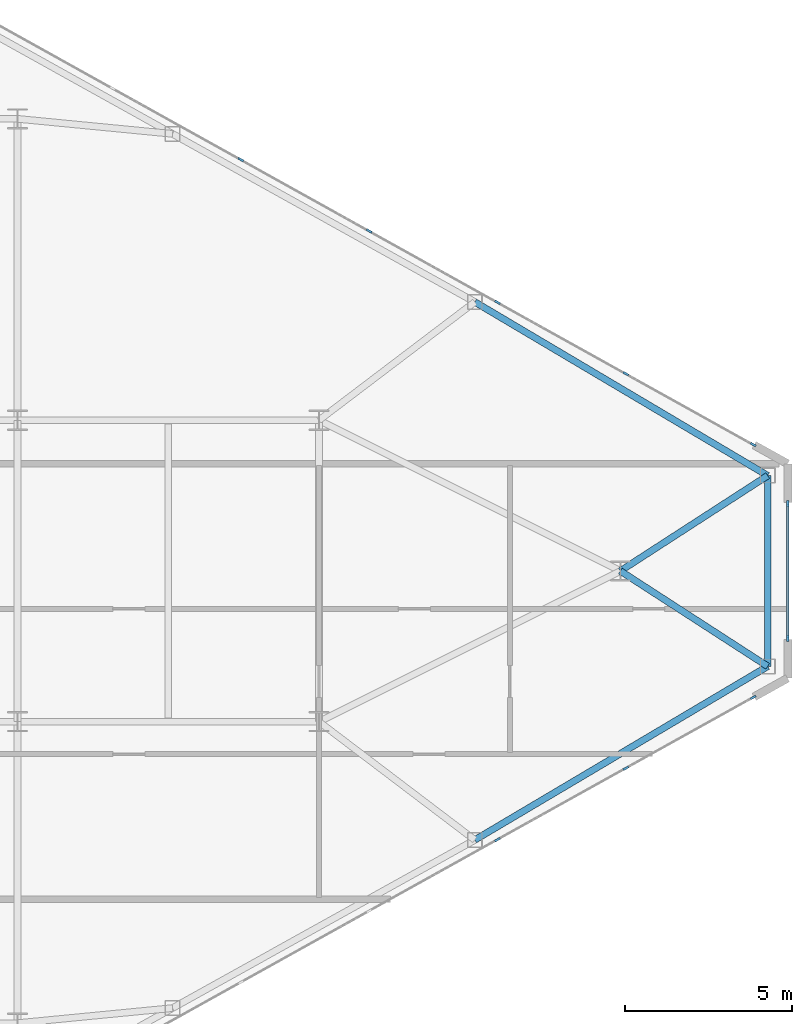
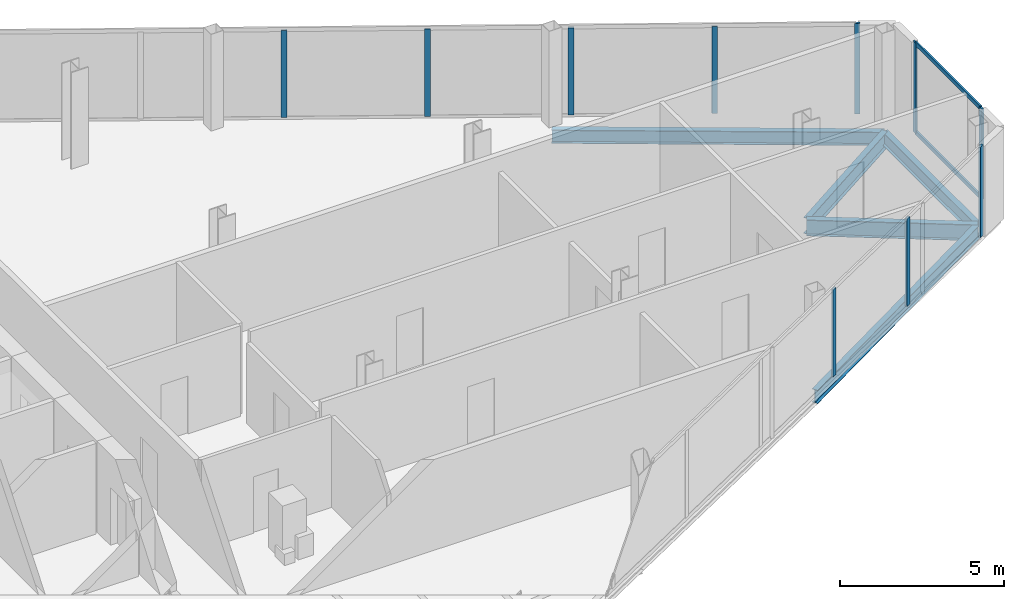
# One storey, part 17 of 26: 12 members, 5 beams, 3 elements without a shape of their own.
"""IFC4 building model written with IfcOpenShell, lengths in metres."""

from ifc_helpers import new_model, si_unit, direction, frame, origin, origin_2d, place, context, subcontext, project, spatial, rectangle, i_section, extrude, source, transform, mapped, material, layer, layer_set, material_profile, profile_set, type_object, type_shapes, element, aggregate, save


model = new_model("IFC4")

# Units and contexts
model_context = context("Model", 3, precision=1e-05, world=origin(), true_north=direction((0.0, 1.0)))
body_context = subcontext(model_context, "Body", "Model", "MODEL_VIEW")
ifc_project = project(units=[si_unit("LENGTHUNIT", "METRE"), si_unit("AREAUNIT", "SQUARE_METRE"), si_unit("VOLUMEUNIT", "CUBIC_METRE"), si_unit("PLANEANGLEUNIT", "RADIAN"), si_unit("MASSUNIT", "GRAM", prefix="KILO")], contexts=[model_context])

# Site, building, storey
site_placement = place(None, origin())
site = spatial("IfcSite", under=ifc_project, at=site_placement, CompositionType="ELEMENT")
building_placement = place(site_placement, origin())
building = spatial("IfcBuilding", under=site, at=building_placement, Name="Seokmaru Belvedere", CompositionType="ELEMENT")
storey_placement = place(building_placement, frame((0.0, 0.0, 192.300048828125)))
storey = spatial("IfcBuildingStorey", under=building, at=storey_placement, Name="L51", CompositionType="ELEMENT", Elevation=192.300048828125)

# Beams
ifc_material_1 = material(Name="Steel SM355 (355 MPa)", Category="steel")
ifc_material_profile_1 = material_profile(ifc_material_1, i_section(OverallWidth=0.199951171875, OverallDepth=0.5, WebThickness=0.010009765625, FlangeThickness=0.01611328125, at=origin_2d()), Name="H-500x200x10x16")
ifc_profile_set_1 = profile_set([ifc_material_profile_1], Name="Steel SM355 (355 MPa)")
beam_type_1 = type_object("IfcBeamType", Name="Perimeter Spandrel Beam H-500", PredefinedType="SPANDREL", material=ifc_profile_set_1)
shared_shape_1 = source(origin(), body_context, "Body", "SweptSolid", [
    extrude(i_section(OverallWidth=0.199951171875, OverallDepth=0.5, WebThickness=0.010009765625, FlangeThickness=0.01611328125, at=origin_2d()), origin(), (0.0, 0.0, 1.0), 10.16650390625),
])
for number, where, z_axis, x_axis, name in (
    (1, (59.154541015625, -8.031494140625, -0.469970703125), (0.860209996506, 0.509939959124, 0.0), (-0.509939959124, 0.860209996506, 0.0), "L51 E Faceted Flank Spandrel S-4"),
    (2, (59.154541015625, 8.031494140625, -0.469970703125), (0.860209996506, -0.509939959124, 0.0), (0.509939959124, 0.860209996506, 0.0), "L51 E Faceted Flank Spandrel N-4"),
):
    element("IfcBeam", number, at=place(storey_placement, frame(where, z_axis=z_axis, x_axis=x_axis)), inside=storey, type_object=beam_type_1, Name=name, PredefinedType="SPANDREL", context=body_context, shape_type="MappedRepresentation", body=[
        mapped(shared_shape_1, transform((0.0, 0.0, 0.0), scale=1.0)),
    ])
shared_shape_2 = source(origin(), body_context, "Body", "SweptSolid", [
    extrude(i_section(OverallWidth=0.199951171875, OverallDepth=0.5, WebThickness=0.010009765625, FlangeThickness=0.01611328125, at=origin_2d()), origin(), (0.0, 0.0, 1.0), 5.6943359375),
])
type_shapes(beam_type_1, [shared_shape_1, shared_shape_2])
beam_placement = place(storey_placement, frame((67.89990234375, -2.84716796875, -0.469970703125), z_axis=(0.0, 1.0, 0.0), x_axis=(-1.0, 0.0, 0.0)))
element("IfcBeam", 3, at=beam_placement, inside=storey, type_object=beam_type_1, Name="L51 E Faceted Apex Spandrel", PredefinedType="SPANDREL", context=body_context, shape_type="MappedRepresentation", body=[
    mapped(shared_shape_2, transform((0.0, 0.0, 0.0), scale=1.0)),
])
ifc_material_profile_2 = material_profile(ifc_material_1, i_section(OverallWidth=0.199951171875, OverallDepth=0.60009765625, WebThickness=0.010986328125, FlangeThickness=0.01708984375, at=origin_2d()), Name="H-600x200x11x17")
ifc_profile_set_2 = profile_set([ifc_material_profile_2], Name="Steel SM355 (355 MPa)")
beam_type_2 = type_object("IfcBeamType", Name="Primary Floor Girder H-600", PredefinedType="BEAM", material=ifc_profile_set_2)
shared_shape_3 = source(origin(), body_context, "Body", "SweptSolid", [
    extrude(i_section(OverallWidth=0.199951171875, OverallDepth=0.60009765625, WebThickness=0.010986328125, FlangeThickness=0.01708984375, at=origin_2d()), origin(), (0.0, 0.0, 1.0), 5.24072265625),
])
type_shapes(beam_type_2, [shared_shape_3])
for number, where, z_axis, x_axis, name in (
    (4, (67.89990234375, -2.84716796875, -0.52001953125), (-0.839555158729, 0.543274456836, 0.0), (-0.543274456836, -0.839555158729, 0.0), "L51 E Apex Radial Floor Girder 1"),
    (5, (67.89990234375, 2.84716796875, -0.52001953125), (-0.839555158729, -0.543274456836, 0.0), (0.543274456836, -0.839555158729, 0.0), "L51 E Apex Radial Floor Girder 2"),
):
    element("IfcBeam", number, at=place(storey_placement, frame(where, z_axis=z_axis, x_axis=x_axis)), inside=storey, type_object=beam_type_2, Name=name, PredefinedType="BEAM", context=body_context, shape_type="MappedRepresentation", body=[
        mapped(shared_shape_3, transform((0.0, 0.0, 0.0), scale=1.0)),
    ])

# Curtain wall, members
ifc_material_2 = material(Name="Bronze Triple Insulating Glass", Category="glass")
ifc_layer = layer(ifc_material_2, 0.179931640625)
ifc_layer_set = layer_set([ifc_layer], Name="Bronze Triple Insulating Glass")
curtain_wall_type = type_object("IfcCurtainWallType", Name="High-Rise Wind-Corner Curtain Wall System CW-5", PredefinedType="NOTDEFINED", material=ifc_layer_set)
curtain_wall_1_placement = place(storey_placement, origin())
curtain_wall_1 = element("IfcCurtainWall", 6, at=curtain_wall_1_placement, inside=storey, type_object=curtain_wall_type, Name="L51 Curtain Wall EF2", PredefinedType="NOTDEFINED")
ifc_material_3 = material(Name="Anodised Bronze Aluminium", Category="aluminium")
ifc_material_profile_3 = material_profile(ifc_material_3, rectangle(XDim=0.06494140625, YDim=0.14990234375, at=origin_2d()), Name="CW-T-65x150")
ifc_profile_set_3 = profile_set([ifc_material_profile_3], Name="Anodised Bronze Aluminium")
member_type_1 = type_object("IfcMemberType", Name="Bronze Unitised Transom 65x150", PredefinedType="USERDEFINED", material=ifc_profile_set_3)
shared_shape_4 = source(origin(), body_context, "Body", "SweptSolid", [
    extrude(rectangle(XDim=0.06494140625, YDim=0.14990234375, at=origin_2d()), origin(), (0.0, 0.0, 1.0), 3.97021484375),
])
type_shapes(member_type_1, [shared_shape_4])
member_1_placement = place(storey_placement, frame((68.5, -1.985107421875, 0.032470703125), z_axis=(0.0, 1.0, 0.0), x_axis=(-1.0, 0.0, 0.0)))
member_1 = element("IfcMember", 7, at=member_1_placement, type_object=member_type_1, Name="CW:L51:EF2 Continuous Transom 1", ObjectType="TRANSOM", PredefinedType="USERDEFINED", context=body_context, shape_type="MappedRepresentation", body=[
    mapped(shared_shape_4, transform((0.0, 0.0, 0.0), scale=1.0)),
])
member_2_placement = place(storey_placement, frame((68.5, -1.985107421875, 3.347412109375), z_axis=(0.0, 1.0, 0.0), x_axis=(-1.0, 0.0, 0.0)))
member_2 = element("IfcMember", 8, at=member_2_placement, type_object=member_type_1, Name="CW:L51:EF2 Continuous Transom 2", ObjectType="TRANSOM", PredefinedType="USERDEFINED", context=body_context, shape_type="MappedRepresentation", body=[
    mapped(shared_shape_4, transform((0.0, 0.0, 0.0), scale=1.0)),
])

# Curtain wall, member
curtain_wall_2_placement = place(storey_placement, origin())
curtain_wall_2 = element("IfcCurtainWall", 9, at=curtain_wall_2_placement, inside=storey, type_object=curtain_wall_type, Name="L51 Curtain Wall EF1", PredefinedType="NOTDEFINED")
ifc_material_profile_4 = material_profile(ifc_material_3, rectangle(XDim=0.06494140625, YDim=0.179931640625, at=origin_2d()), Name="CW-M-65x180")
ifc_profile_set_4 = profile_set([ifc_material_profile_4], Name="Anodised Bronze Aluminium")
member_type_2 = type_object("IfcMemberType", Name="Bronze Unitised Mullion 65x180", PredefinedType="MULLION", material=ifc_profile_set_4)
shared_shape_5 = source(origin(), body_context, "Body", "SweptSolid", [
    extrude(rectangle(XDim=0.06494140625, YDim=0.179931640625, at=origin_2d()), origin(), (0.0, 0.0, 1.0), 3.3798828125),
])
member_3_placement = place(storey_placement, frame((67.466552734375, -3.77490234375, 0.0), z_axis=(0.0, 0.0, 1.0), x_axis=(-0.486047125147, 0.873932601598, 0.0)))
member_3 = element("IfcMember", 10, at=member_3_placement, type_object=member_type_2, Name="CW:L51:EF1 Mullion 10", PredefinedType="MULLION", context=body_context, shape_type="MappedRepresentation", body=[
    mapped(shared_shape_5, transform((0.0, 0.0, 0.0), scale=1.0)),
])

# Member
member_4_placement = place(storey_placement, frame((68.5, -2.017578125, 0.0), z_axis=(0.0, 0.0, 1.0), x_axis=(-1.0, 0.0, 0.0)))
member_4 = element("IfcMember", 11, at=member_4_placement, type_object=member_type_2, Name="CW:L51:EF2 Mullion 1", PredefinedType="MULLION", context=body_context, shape_type="MappedRepresentation", body=[
    mapped(shared_shape_5, transform((0.0, 0.0, 0.0), scale=1.0)),
])

member_5_placement = place(storey_placement, frame((68.5, 2.017578125, 0.0), z_axis=(0.0, 0.0, 1.0), x_axis=(-1.0, 0.0, 0.0)))
member_5 = element("IfcMember", 12, at=member_5_placement, type_object=member_type_2, Name="CW:L51:EF2 Mullion 2", PredefinedType="MULLION", context=body_context, shape_type="MappedRepresentation", body=[
    mapped(shared_shape_5, transform((0.0, 0.0, 0.0), scale=1.0)),
])

aggregate(curtain_wall_1, [member_4, member_5, member_1, member_2])

# Curtain wall, member
curtain_wall_3_placement = place(storey_placement, origin())
curtain_wall_3 = element("IfcCurtainWall", 13, at=curtain_wall_3_placement, inside=storey, type_object=curtain_wall_type, Name="L51 Curtain Wall EF3", PredefinedType="NOTDEFINED")
member_6_placement = place(storey_placement, frame((67.466552734375, 3.77490234375, 0.0), z_axis=(0.0, 0.0, 1.0), x_axis=(-0.486047125147, -0.873932601598, 0.0)))
member_6 = element("IfcMember", 14, at=member_6_placement, type_object=member_type_2, Name="CW:L51:EF3 Mullion 1", PredefinedType="MULLION", context=body_context, shape_type="MappedRepresentation", body=[
    mapped(shared_shape_5, transform((0.0, 0.0, 0.0), scale=1.0)),
])

# Member
shared_shape_6 = source(origin(), body_context, "Body", "SweptSolid", [
    extrude(rectangle(XDim=0.06494140625, YDim=0.179931640625, at=origin_2d()), origin(), (0.0, 0.0, 1.0), 3.25),
])
type_shapes(member_type_2, [shared_shape_5, shared_shape_6])
member_7_placement = place(storey_placement, frame((59.83056640625, -8.021728515625, 0.06494140625), z_axis=(0.0, 0.0, 1.0), x_axis=(-0.486047125147, 0.873932601598, 0.0)))
member_7 = element("IfcMember", 15, at=member_7_placement, type_object=member_type_2, Name="CW:L51:EF1 Mullion 8", PredefinedType="MULLION", context=body_context, shape_type="MappedRepresentation", body=[
    mapped(shared_shape_6, transform((0.0, 0.0, 0.0), scale=1.0)),
])

member_8_placement = place(storey_placement, frame((63.662841796875, -5.890380859375, 0.06494140625), z_axis=(0.0, 0.0, 1.0), x_axis=(-0.486047125147, 0.873932601598, 0.0)))
member_8 = element("IfcMember", 16, at=member_8_placement, type_object=member_type_2, Name="CW:L51:EF1 Mullion 9", PredefinedType="MULLION", context=body_context, shape_type="MappedRepresentation", body=[
    mapped(shared_shape_6, transform((0.0, 0.0, 0.0), scale=1.0)),
])

aggregate(curtain_wall_2, [member_7, member_8, member_3])

member_9_placement = place(storey_placement, frame((63.662841796875, 5.890380859375, 0.06494140625), z_axis=(0.0, 0.0, 1.0), x_axis=(-0.486047125147, -0.873932601598, 0.0)))
member_9 = element("IfcMember", 17, at=member_9_placement, type_object=member_type_2, Name="CW:L51:EF3 Mullion 2", PredefinedType="MULLION", context=body_context, shape_type="MappedRepresentation", body=[
    mapped(shared_shape_6, transform((0.0, 0.0, 0.0), scale=1.0)),
])

member_10_placement = place(storey_placement, frame((59.83056640625, 8.021728515625, 0.06494140625), z_axis=(0.0, 0.0, 1.0), x_axis=(-0.486047125147, -0.873932601598, 0.0)))
member_10 = element("IfcMember", 18, at=member_10_placement, type_object=member_type_2, Name="CW:L51:EF3 Mullion 3", PredefinedType="MULLION", context=body_context, shape_type="MappedRepresentation", body=[
    mapped(shared_shape_6, transform((0.0, 0.0, 0.0), scale=1.0)),
])

member_11_placement = place(storey_placement, frame((55.998291015625, 10.153076171875, 0.06494140625), z_axis=(0.0, 0.0, 1.0), x_axis=(-0.486047125147, -0.873932601598, 0.0)))
member_11 = element("IfcMember", 19, at=member_11_placement, type_object=member_type_2, Name="CW:L51:EF3 Mullion 4", PredefinedType="MULLION", context=body_context, shape_type="MappedRepresentation", body=[
    mapped(shared_shape_6, transform((0.0, 0.0, 0.0), scale=1.0)),
])

member_12_placement = place(storey_placement, frame((52.166015625, 12.2841796875, 0.06494140625), z_axis=(0.0, 0.0, 1.0), x_axis=(-0.486047125147, -0.873932601598, 0.0)))
member_12 = element("IfcMember", 20, at=member_12_placement, type_object=member_type_2, Name="CW:L51:EF3 Mullion 5", PredefinedType="MULLION", context=body_context, shape_type="MappedRepresentation", body=[
    mapped(shared_shape_6, transform((0.0, 0.0, 0.0), scale=1.0)),
])

aggregate(curtain_wall_3, [member_6, member_9, member_10, member_11, member_12])

save(model, "model.ifc")
